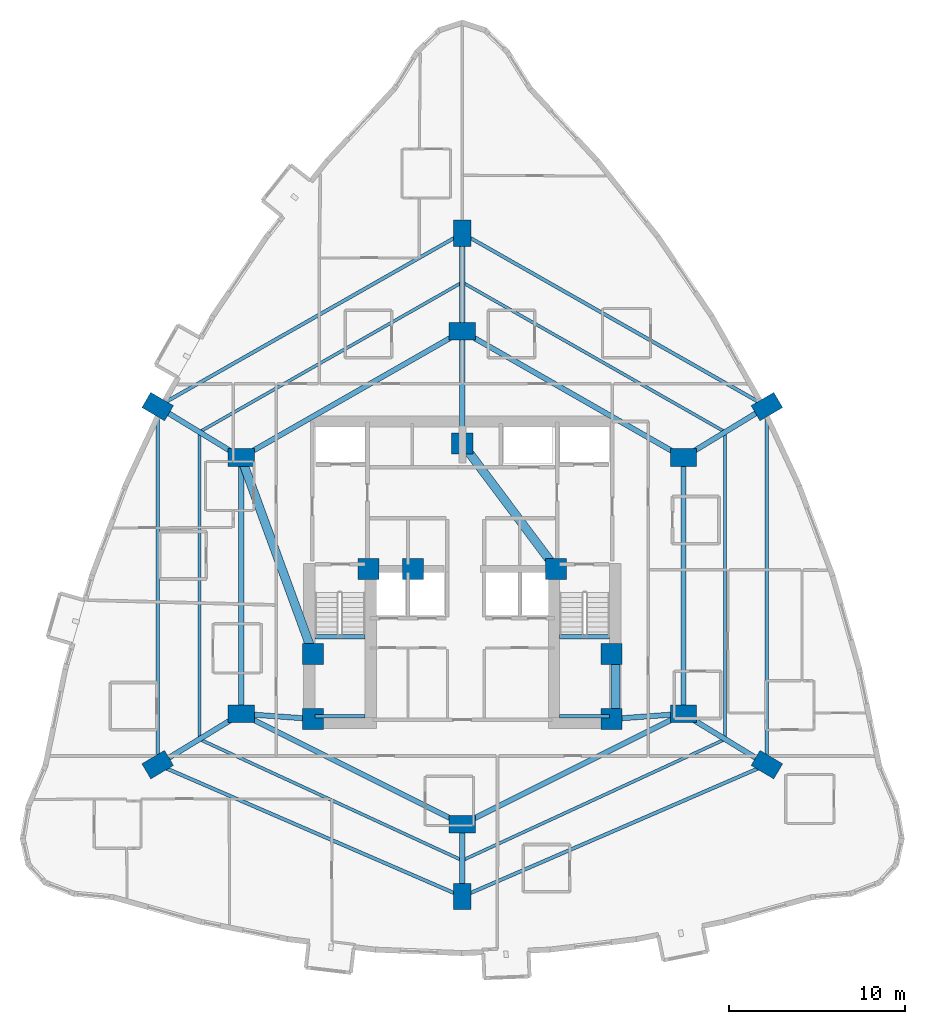
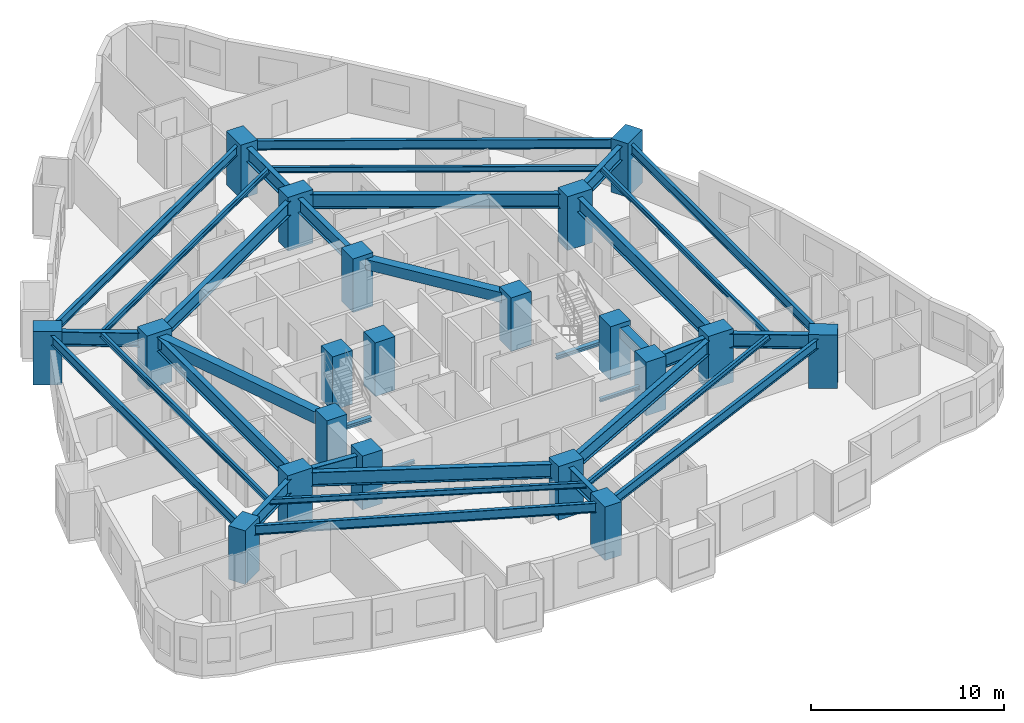
# One storey, part 1 of 15: 34 beams, 20 columns.
"""IFC4 building model written with IfcOpenShell, lengths in metres."""

import ifcopenshell
import ifcopenshell.guid

model = None  # the IFC model being written
_history = None  # IfcOwnerHistory: only IFC2X3 demands one
_inside = {}  # id of a spatial element -> (the spatial element, [elements in it])
_under = {}  # id of a project, library or spatial element -> (it, [spatial elements below it])
_declared = {}  # id of a project -> (the project, [libraries it declares])
_typed = {}  # id of a type object -> (the type object, [elements of that type])
_made_of = {}  # id of a material, layer set ... -> (it, [elements and type objects made of it])


def new_model(schema):
    """Start an empty IFC model of exactly this schema.

    Asked for "IFC4X3", IfcOpenShell would pick the latest addendum, in which some entities
    have other attributes; the version numbers below select the first issue.
    IFC2X3 requires an IfcOwnerHistory on every rooted entity: one is made here for all.
    """
    global model, _history
    if schema == "IFC4X3":
        model = ifcopenshell.file(schema_version=(4, 3, 0, 0))
    else:
        model = ifcopenshell.file(schema=schema)
    _inside.clear()
    _under.clear()
    _declared.clear()
    _typed.clear()
    _made_of.clear()
    _history = None
    if model.schema == "IFC2X3":
        org = make("IfcOrganization", Name="unknown")
        user = make(
            "IfcPersonAndOrganization",
            ThePerson=make("IfcPerson", FamilyName="unknown"),
            TheOrganization=org,
        )
        app = make(
            "IfcApplication",
            ApplicationDeveloper=org,
            Version="unknown",
            ApplicationFullName="unknown",
            ApplicationIdentifier="unknown",
        )
        _history = make(
            "IfcOwnerHistory",
            OwningUser=user,
            OwningApplication=app,
            ChangeAction="ADDED",
            CreationDate=0,
        )
    return model


def make(cls, **values):
    """One entity of the class cls with the attributes given. An attribute that is None is left unset."""
    return model.create_entity(
        cls, **{name: value for name, value in values.items() if value is not None}
    )


def rooted(cls, **values):
    """An entity with a GlobalId (a new one), such as an element, a storey or a relation."""
    return make(cls, GlobalId=ifcopenshell.guid.new(), OwnerHistory=_history, **values)


def si_unit(unit_type, name, prefix=None):
    """IfcSIUnit, for example si_unit("LENGTHUNIT", "METRE", prefix="MILLI")."""
    return make("IfcSIUnit", UnitType=unit_type, Prefix=prefix, Name=name)


def assignment(units):
    """IfcUnitAssignment: the units of a project."""
    return None if units is None else make("IfcUnitAssignment", Units=units)


def point(xyz):
    """IfcCartesianPoint."""
    return None if xyz is None else make("IfcCartesianPoint", Coordinates=xyz)


def direction(xyz):
    """IfcDirection."""
    return None if xyz is None else make("IfcDirection", DirectionRatios=xyz)


def frame(location, z_axis=None, x_axis=None):
    """IfcAxis2Placement3D, a coordinate frame: its origin and axes. An axis left out is left unset."""
    return make(
        "IfcAxis2Placement3D",
        Location=point(location),
        Axis=direction(z_axis),
        RefDirection=direction(x_axis),
    )


def frame_2d(location, x_axis=None):
    """IfcAxis2Placement2D, a coordinate frame in the plane: its origin and x axis."""
    return make(
        "IfcAxis2Placement2D", Location=point(location), RefDirection=direction(x_axis)
    )


def origin():
    """The frame at (0, 0, 0) with its axes left unset."""
    return frame((0.0, 0.0, 0.0))


def origin_2d():
    """The frame at (0, 0) in the plane with its x axis left unset."""
    return frame_2d((0.0, 0.0))


def place(relative_to, where):
    """IfcLocalPlacement: puts the frame where relative to a parent placement (None: the world)."""
    return make(
        "IfcLocalPlacement", PlacementRelTo=relative_to, RelativePlacement=where
    )


def context(
    kind, dimensions, precision=None, world=None, true_north=None, identifier=None
):
    """IfcGeometricRepresentationContext, for example the 3D "Model" context."""
    return make(
        "IfcGeometricRepresentationContext",
        ContextIdentifier=identifier,
        ContextType=kind,
        CoordinateSpaceDimension=dimensions,
        Precision=precision,
        WorldCoordinateSystem=world,
        TrueNorth=true_north,
    )


def subcontext(parent, identifier, kind, view, scale=None):
    """IfcGeometricRepresentationSubContext, for example "Body" below "Model"."""
    return make(
        "IfcGeometricRepresentationSubContext",
        ContextIdentifier=identifier,
        ContextType=kind,
        ParentContext=parent,
        TargetScale=scale,
        TargetView=view,
    )


def project(units=None, contexts=None):
    """IfcProject with its units and contexts."""
    return rooted(
        "IfcProject",
        Name="project",
        RepresentationContexts=contexts,
        UnitsInContext=assignment(units),
    )


def spatial(cls, under=None, at=None, **own):
    """A site, building, storey or space (cls), placed at a placement, below another one or the project."""
    s = rooted(cls, ObjectPlacement=at, **own)
    if under is not None:
        _under.setdefault(under.id(), (under, []))[1].append(s)
    return s


def profile(cls, at=None, kind="AREA", **sizes):
    """A parametric profile (cls). Its sizes go by their IFC names, for example OverallWidth=200.0."""
    return make(cls, ProfileType=kind, Position=at, **sizes)


def rectangle(**sizes):
    """IfcRectangleProfileDef."""
    return profile("IfcRectangleProfileDef", **sizes)


def i_section(**sizes):
    """IfcIShapeProfileDef."""
    return profile("IfcIShapeProfileDef", **sizes)


def extrude(swept, where, along, depth):
    """IfcExtrudedAreaSolid: the profile swept, set in the frame where, extruded along a direction by depth."""
    return make(
        "IfcExtrudedAreaSolid",
        SweptArea=swept,
        Position=where,
        ExtrudedDirection=direction(along),
        Depth=depth,
    )


def shape(context_of_items, identifier, shape_type, items):
    """IfcShapeRepresentation: the items that make up one representation, for example the "Body"."""
    return make(
        "IfcShapeRepresentation",
        ContextOfItems=context_of_items,
        RepresentationIdentifier=identifier,
        RepresentationType=shape_type,
        Items=items,
    )


def material(Name=None, Category=None):
    """IfcMaterial."""
    return make("IfcMaterial", Name=Name, Category=Category)


def material_profile(
    of_material, cross_section, Name=None, Category=None, Priority=None
):
    """IfcMaterialProfile: a cross section and its material."""
    return make(
        "IfcMaterialProfile",
        Name=Name,
        Material=of_material,
        Profile=cross_section,
        Priority=Priority,
        Category=Category,
    )


def profile_set(profiles, Name=None, composite=None):
    """IfcMaterialProfileSet."""
    return make(
        "IfcMaterialProfileSet",
        Name=Name,
        MaterialProfiles=profiles,
        CompositeProfile=composite,
    )


def made_of(thing, what):
    """Note that an element or type object is made of a material, layer set ...; save() writes the relation."""
    if what is not None:
        _made_of.setdefault(what.id(), (what, []))[1].append(thing)
    return thing


def type_object(cls, material=None, **own):
    """A type object (cls), such as IfcWallType, which elements share."""
    return made_of(rooted(cls, **own), material)


def element(
    cls,
    number,
    at=None,
    inside=None,
    cuts=None,
    type_object=None,
    material=None,
    context=None,
    identifier="Body",
    shape_type=None,
    held_by="IfcProductDefinitionShape",
    body=None,
    shapes=None,
    **own,
):
    """One element of the class cls, such as IfcWall. Its Tag is "e" and its number.

    at: its placement. inside: the storey or other place that contains it. cuts: it is an
    opening in that element (IfcRelVoidsElement). A single representation is given by context,
    identifier, shape_type and body (its items); several are given by shapes. held_by: the class
    of the entity that holds the representations. save() writes the other relations.
    """
    e = rooted(cls, Tag="e%d" % number, ObjectPlacement=at, **own)
    if body is not None:
        shapes = [shape(context, identifier, shape_type, body)]
    if shapes is not None:
        e.Representation = make(held_by, Representations=shapes)
    if inside is not None:
        _inside.setdefault(inside.id(), (inside, []))[1].append(e)
    if cuts is not None:
        rooted(
            "IfcRelVoidsElement", RelatingBuildingElement=cuts, RelatedOpeningElement=e
        )
    if type_object is not None:
        _typed.setdefault(type_object.id(), (type_object, []))[1].append(e)
    return made_of(e, material)


def aggregate(whole, parts):
    """IfcRelAggregates: a whole, such as a stair, and the parts it consists of."""
    return rooted("IfcRelAggregates", RelatingObject=whole, RelatedObjects=parts)


def save(model, path):
    """Write the relations noted so far, then the file.

    IfcRelAggregates (storeys below a building ...), IfcRelContainedInSpatialStructure (elements
    in a storey), IfcRelDefinesByType, IfcRelAssociatesMaterial and IfcRelDeclares: one each for
    every whole, place, type object, material and project.
    """
    for whole, parts in _under.values():
        aggregate(whole, parts)
    for where, things in _inside.values():
        rooted(
            "IfcRelContainedInSpatialStructure",
            RelatedElements=things,
            RelatingStructure=where,
        )
    for kind, things in _typed.values():
        rooted("IfcRelDefinesByType", RelatedObjects=things, RelatingType=kind)
    for what, things in _made_of.values():
        rooted("IfcRelAssociatesMaterial", RelatedObjects=things, RelatingMaterial=what)
    for by, libraries in _declared.values():
        rooted("IfcRelDeclares", RelatingContext=by, RelatedDefinitions=libraries)
    model.write(path)


model = new_model("IFC4")

# Units and contexts
model_context = context("Model", 3, precision=1e-05, world=origin(), true_north=direction((0.0, 1.0)))
body_context = subcontext(model_context, "Body", "Model", "MODEL_VIEW")
ifc_project = project(units=[si_unit("LENGTHUNIT", "METRE"), si_unit("AREAUNIT", "SQUARE_METRE"), si_unit("VOLUMEUNIT", "CUBIC_METRE"), si_unit("PLANEANGLEUNIT", "RADIAN"), si_unit("MASSUNIT", "GRAM", prefix="KILO")], contexts=[model_context])

# Site, building, storey
site_placement = place(None, origin())
site = spatial("IfcSite", under=ifc_project, at=site_placement, CompositionType="ELEMENT")
building_placement = place(site_placement, origin())
building = spatial("IfcBuilding", under=site, at=building_placement, Name="Miruveldt Soraemaru", CompositionType="ELEMENT")
storey_placement = place(building_placement, frame((0.0, 0.0, 36.0)))
storey = spatial("IfcBuildingStorey", under=building, at=storey_placement, Name="L09", CompositionType="ELEMENT", Elevation=36.0)

# Columns
ifc_material_1 = material(Name="Concrete C70/85 (70 MPa)", Category="concrete")
ifc_material_profile_1 = material_profile(ifc_material_1, rectangle(XDim=1.199951171875, YDim=1.199951171875, at=origin_2d()), Name="Concrete C70/85 (70 MPa)", Category="concrete")
ifc_profile_set_1 = profile_set([ifc_material_profile_1], Name="Concrete C70/85 (70 MPa)")
column_type_1 = type_object("IfcColumnType", Name="COL-CORE-1200", PredefinedType="COLUMN", material=ifc_profile_set_1)
for number, where, z_axis, x_axis, name in (
    (1, (35.5, 35.5, 0.0), (0.0, 0.0, 1.0), (1.0, 0.0, 0.0), "L09 Structural Column CC1"),
    (2, (38.64990234375, 44.050048828125, 0.0), (0.0, 0.0, 1.0), (1.0, 0.0, 0.0), "L09 Structural Column CC2"),
    (3, (52.5, 35.5, 0.0), (0.0, 0.0, 1.0), (1.0, 0.0, 0.0), "L09 Structural Column CC3"),
    (4, (52.5, 39.199951171875, 0.0), (0.0, 0.0, 1.0), (1.0, 0.0, 0.0), "L09 Structural Column CC4"),
    (5, (49.35009765625, 44.050048828125, 0.0), (0.0, 0.0, 1.0), (1.0, 0.0, 0.0), "L09 Structural Column CC5"),
    (6, (44.0, 51.199951171875, 0.0), (0.0, 0.0, 1.0), (1.0, 0.0, 0.0), "L09 Structural Column CC6"),
    (7, (35.5, 39.199951171875, 0.0), (0.0, 0.0, 1.0), (1.0, 0.0, 0.0), "L09 Structural Column CC7"),
    (8, (41.199951171875, 44.050048828125, 0.0), (0.0, 0.0, 1.0), (1.0, 0.0, 0.0), "L09 Structural Column CC8"),
):
    element("IfcColumn", number, at=place(storey_placement, frame(where, z_axis=z_axis, x_axis=x_axis)), inside=storey, type_object=column_type_1, Name=name, PredefinedType="COLUMN", context=body_context, shape_type="SweptSolid", body=[
        extrude(rectangle(XDim=1.199951171875, YDim=1.199951171875, at=origin_2d()), origin(), (0.0, 0.0, 1.0), 3.39990234375),
    ])
ifc_material_2 = material(Name="Concrete C80/95 (80 MPa)", Category="concrete")
ifc_material_profile_2 = material_profile(ifc_material_2, rectangle(XDim=1.5, YDim=1.0, at=origin_2d()), Name="Concrete C80/95 (80 MPa)", Category="concrete")
ifc_profile_set_2 = profile_set([ifc_material_profile_2], Name="Concrete C80/95 (80 MPa)")
column_type_2 = type_object("IfcColumnType", Name="COL-TW-Z1A", PredefinedType="COLUMN", material=ifc_profile_set_2)
for number, where, z_axis, x_axis, name in (
    (9, (44.0, 57.60009765625, 0.0), (0.0, 0.0, 1.0), (1.0, 0.0, 0.0), "L09 Structural Column IR01"),
    (10, (56.60009765625, 50.39990234375, 0.0), (0.0, 0.0, 1.0), (1.0, 0.0, 0.0), "L09 Structural Column IR02"),
    (11, (56.60009765625, 35.800048828125, 0.0), (0.0, 0.0, 1.0), (1.0, 0.0, 0.0), "L09 Structural Column IR03"),
    (12, (44.0, 29.5, 0.0), (0.0, 0.0, 1.0), (1.0, 0.0, 0.0), "L09 Structural Column IR04"),
    (13, (31.39990234375, 35.800048828125, 0.0), (0.0, 0.0, 1.0), (1.0, 0.0, 0.0), "L09 Structural Column IR05"),
    (14, (31.39990234375, 50.39990234375, 0.0), (0.0, 0.0, 1.0), (1.0, 0.0, 0.0), "L09 Structural Column IR06"),
    (15, (44.0, 63.16796875, 0.0), (0.0, 0.0, 1.0), (0.0, 1.0, 0.0), "L09 Structural Column Z1P01"),
    (16, (61.35595703125, 53.300048828125, 0.0), (0.0, 0.0, 1.0), (0.864274801954, 0.50301994663, 0.0), "L09 Structural Column Z1P02"),
    (17, (61.35595703125, 32.89990234375, 0.0), (0.0, 0.0, 1.0), (-0.859852271597, 0.510542917912, 0.0), "L09 Structural Column Z1P03"),
    (18, (44.0, 25.382080078125, 0.0), (0.0, 0.0, 1.0), (0.0, 1.0, 0.0), "L09 Structural Column Z1P04"),
    (19, (26.64404296875, 32.89990234375, 0.0), (0.0, 0.0, 1.0), (0.859852271597, 0.510542917912, 0.0), "L09 Structural Column Z1P05"),
    (20, (26.64404296875, 53.300048828125, 0.0), (0.0, 0.0, 1.0), (-0.864274801954, 0.50301994663, 0.0), "L09 Structural Column Z1P06"),
):
    element("IfcColumn", number, at=place(storey_placement, frame(where, z_axis=z_axis, x_axis=x_axis)), inside=storey, type_object=column_type_2, Name=name, PredefinedType="COLUMN", context=body_context, shape_type="SweptSolid", body=[
        extrude(rectangle(XDim=1.5, YDim=1.0, at=origin_2d()), origin(), (0.0, 0.0, 1.0), 3.39990234375),
    ])

# Beams
ifc_material_3 = material(Name="Concrete C50/60 (50 MPa)", Category="concrete")
ifc_material_profile_3 = material_profile(ifc_material_3, rectangle(XDim=0.5, YDim=0.64990234375, at=origin_2d()), Name="Concrete C50/60 (50 MPa)", Category="concrete")
ifc_profile_set_3 = profile_set([ifc_material_profile_3], Name="Concrete C50/60 (50 MPa)")
beam_type_1 = type_object("IfcBeamType", Name="BM-RC-500x650", PredefinedType="BEAM", material=ifc_profile_set_3)
beam_1_placement = place(storey_placement, frame((52.72998046875, 35.5, 2.800048828125), z_axis=(0.0, 1.0, 0.0), x_axis=(-1.0, 0.0, 0.0)))
element("IfcBeam", 21, at=beam_1_placement, inside=storey, type_object=beam_type_1, Name="L09 Core Tie Beam 3", PredefinedType="BEAM", context=body_context, shape_type="SweptSolid", body=[
    extrude(rectangle(XDim=0.5, YDim=0.64990234375, at=origin_2d()), origin(), (0.0, 0.0, 1.0), 3.699951171875),
])
beam_2_placement = place(storey_placement, frame((49.35009765625, 44.050048828125, 2.800048828125), z_axis=(-0.599116023999, 0.800662219533, 0.0), x_axis=(-0.800662219533, -0.599116023999, 0.0)))
element("IfcBeam", 22, at=beam_2_placement, inside=storey, type_object=beam_type_1, Name="L09 Core Tie Beam 5", PredefinedType="BEAM", context=body_context, shape_type="SweptSolid", body=[
    extrude(rectangle(XDim=0.5, YDim=0.64990234375, at=origin_2d()), origin(), (0.0, 0.0, 1.0), 8.929931640625),
])
ifc_material_4 = material(Name="Concrete C40/50 (40 MPa)", Category="concrete")
ifc_material_profile_4 = material_profile(ifc_material_4, rectangle(XDim=0.5, YDim=0.75, at=origin_2d()), Name="Concrete C40/50 (40 MPa)", Category="concrete")
ifc_profile_set_4 = profile_set([ifc_material_profile_4], Name="Concrete C40/50 (40 MPa)")
beam_type_2 = type_object("IfcBeamType", Name="BM-RC-500x750", PredefinedType="LINTEL", material=ifc_profile_set_4)
beam_3_placement = place(storey_placement, frame((31.39990234375, 50.39990234375, 2.75), z_axis=(0.343770424598, -0.939053723262, 0.0), x_axis=(0.939053723262, 0.343770424598, 0.0)))
element("IfcBeam", 23, at=beam_3_placement, inside=storey, type_object=beam_type_2, Name="L09 West Lobby Lintel", PredefinedType="LINTEL", context=body_context, shape_type="SweptSolid", body=[
    extrude(rectangle(XDim=0.5, YDim=0.75, at=origin_2d()), origin(), (0.0, 0.0, 1.0), 11.9267578125),
])
ifc_material_5 = material(Name="Steel SM355 (355 MPa)", Category="steel")
ifc_material_profile_5 = material_profile(ifc_material_5, i_section(OverallWidth=0.175048828125, OverallDepth=0.35009765625, WebThickness=0.007080078125, FlangeThickness=0.010986328125, FilletRadius=0.013916015625, at=origin_2d()), Name="Steel SM355 (355 MPa)", Category="steel")
ifc_profile_set_5 = profile_set([ifc_material_profile_5], Name="Steel SM355 (355 MPa)")
beam_type_3 = type_object("IfcBeamType", Name="BM-ST-H350", PredefinedType="JOIST", material=ifc_profile_set_5)
beam_4_placement = place(storey_placement, frame((44.0, 60.384033203125, 2.949951171875), z_axis=(0.868865604585, -0.495048039254, 0.0), x_axis=(0.495048039254, 0.868865604585, 0.0)))
element("IfcBeam", 24, at=beam_4_placement, inside=storey, type_object=beam_type_3, Name="L09 Outer Bay Floor Joist 1", PredefinedType="JOIST", context=body_context, shape_type="SweptSolid", body=[
    extrude(i_section(OverallWidth=0.175048828125, OverallDepth=0.35009765625, WebThickness=0.007080078125, FlangeThickness=0.010986328125, FilletRadius=0.013916015625, at=origin_2d()), origin(), (0.0, 0.0, 1.0), 17.238525390625),
])
beam_5_placement = place(storey_placement, frame((58.97802734375, 51.85009765625, 2.949951171875), z_axis=(0.0, -1.0, 0.0), x_axis=(1.0, 0.0, 0.0)))
element("IfcBeam", 25, at=beam_5_placement, inside=storey, type_object=beam_type_3, Name="L09 Outer Bay Floor Joist 2", PredefinedType="JOIST", context=body_context, shape_type="SweptSolid", body=[
    extrude(i_section(OverallWidth=0.175048828125, OverallDepth=0.35009765625, WebThickness=0.007080078125, FlangeThickness=0.010986328125, FilletRadius=0.013916015625, at=origin_2d()), origin(), (0.0, 0.0, 1.0), 17.5),
])
for number, where, z_axis, x_axis, name in (
    (26, (58.97802734375, 34.35009765625, 2.949951171875), (-0.908046005539, -0.418870447543, 0.0), (0.418870447543, -0.908046005539, 0.0), "L09 Outer Bay Floor Joist 3"),
    (27, (44.0, 27.44091796875, 2.949951171875), (-0.908046005539, 0.418870447543, 0.0), (-0.418870447543, -0.908046005539, 0.0), "L09 Outer Bay Floor Joist 4"),
):
    element("IfcBeam", number, at=place(storey_placement, frame(where, z_axis=z_axis, x_axis=x_axis)), inside=storey, type_object=beam_type_3, Name=name, PredefinedType="JOIST", context=body_context, shape_type="SweptSolid", body=[
        extrude(i_section(OverallWidth=0.175048828125, OverallDepth=0.35009765625, WebThickness=0.007080078125, FlangeThickness=0.010986328125, FilletRadius=0.013916015625, at=origin_2d()), origin(), (0.0, 0.0, 1.0), 16.494873046875),
    ])
beam_6_placement = place(storey_placement, frame((29.02197265625, 34.35009765625, 2.949951171875), z_axis=(0.0, 1.0, 0.0), x_axis=(-1.0, 0.0, 0.0)))
element("IfcBeam", 28, at=beam_6_placement, inside=storey, type_object=beam_type_3, Name="L09 Outer Bay Floor Joist 5", PredefinedType="JOIST", context=body_context, shape_type="SweptSolid", body=[
    extrude(i_section(OverallWidth=0.175048828125, OverallDepth=0.35009765625, WebThickness=0.007080078125, FlangeThickness=0.010986328125, FilletRadius=0.013916015625, at=origin_2d()), origin(), (0.0, 0.0, 1.0), 17.5),
])
beam_7_placement = place(storey_placement, frame((29.02197265625, 51.85009765625, 2.949951171875), z_axis=(0.868865604585, 0.495048039254, 0.0), x_axis=(-0.495048039254, 0.868865604585, 0.0)))
element("IfcBeam", 29, at=beam_7_placement, inside=storey, type_object=beam_type_3, Name="L09 Outer Bay Floor Joist 6", PredefinedType="JOIST", context=body_context, shape_type="SweptSolid", body=[
    extrude(i_section(OverallWidth=0.175048828125, OverallDepth=0.35009765625, WebThickness=0.007080078125, FlangeThickness=0.010986328125, FilletRadius=0.013916015625, at=origin_2d()), origin(), (0.0, 0.0, 1.0), 17.238525390625),
])
ifc_material_profile_6 = material_profile(ifc_material_5, i_section(OverallWidth=0.199951171875, OverallDepth=0.60009765625, WebThickness=0.010986328125, FlangeThickness=0.01708984375, FilletRadius=0.02197265625, at=origin_2d()), Name="Steel SM355 (355 MPa)", Category="steel")
ifc_profile_set_6 = profile_set([ifc_material_profile_6], Name="Steel SM355 (355 MPa)")
beam_type_4 = type_object("IfcBeamType", Name="BM-ST-H600", PredefinedType="SPANDREL", material=ifc_profile_set_6)
beam_8_placement = place(storey_placement, frame((44.0, 63.16796875, 2.824951171875), z_axis=(0.869314947608, -0.494258557706, 0.0), x_axis=(0.494258557706, 0.869314947608, 0.0)))
element("IfcBeam", 30, at=beam_8_placement, inside=storey, type_object=beam_type_4, Name="L09 Zone-1 Spandrel Beam 1", PredefinedType="SPANDREL", context=body_context, shape_type="SweptSolid", body=[
    extrude(i_section(OverallWidth=0.199951171875, OverallDepth=0.60009765625, WebThickness=0.010986328125, FlangeThickness=0.01708984375, FilletRadius=0.02197265625, at=origin_2d()), origin(), (0.0, 0.0, 1.0), 19.965087890625),
])
beam_9_placement = place(storey_placement, frame((61.35595703125, 53.300048828125, 2.824951171875), z_axis=(0.0, -1.0, 0.0), x_axis=(1.0, 0.0, 0.0)))
element("IfcBeam", 31, at=beam_9_placement, inside=storey, type_object=beam_type_4, Name="L09 Zone-1 Spandrel Beam 2", PredefinedType="SPANDREL", context=body_context, shape_type="SweptSolid", body=[
    extrude(i_section(OverallWidth=0.199951171875, OverallDepth=0.60009765625, WebThickness=0.010986328125, FlangeThickness=0.01708984375, FilletRadius=0.02197265625, at=origin_2d()), origin(), (0.0, 0.0, 1.0), 20.400146484375),
])
for number, where, z_axis, x_axis, name in (
    (32, (61.35595703125, 32.89990234375, 2.824951171875), (-0.917615263736, -0.397469782195, 0.0), (0.397469782195, -0.917615263736, 0.0), "L09 Zone-1 Spandrel Beam 3"),
    (33, (44.0, 25.382080078125, 2.824951171875), (-0.917615263736, 0.397469782195, 0.0), (-0.397469782195, -0.917615263736, 0.0), "L09 Zone-1 Spandrel Beam 4"),
):
    element("IfcBeam", number, at=place(storey_placement, frame(where, z_axis=z_axis, x_axis=x_axis)), inside=storey, type_object=beam_type_4, Name=name, PredefinedType="SPANDREL", context=body_context, shape_type="SweptSolid", body=[
        extrude(i_section(OverallWidth=0.199951171875, OverallDepth=0.60009765625, WebThickness=0.010986328125, FlangeThickness=0.01708984375, FilletRadius=0.02197265625, at=origin_2d()), origin(), (0.0, 0.0, 1.0), 18.914306640625),
    ])
beam_10_placement = place(storey_placement, frame((26.64404296875, 32.89990234375, 2.824951171875), z_axis=(0.0, 1.0, 0.0), x_axis=(-1.0, 0.0, 0.0)))
element("IfcBeam", 34, at=beam_10_placement, inside=storey, type_object=beam_type_4, Name="L09 Zone-1 Spandrel Beam 5", PredefinedType="SPANDREL", context=body_context, shape_type="SweptSolid", body=[
    extrude(i_section(OverallWidth=0.199951171875, OverallDepth=0.60009765625, WebThickness=0.010986328125, FlangeThickness=0.01708984375, FilletRadius=0.02197265625, at=origin_2d()), origin(), (0.0, 0.0, 1.0), 20.400146484375),
])
beam_11_placement = place(storey_placement, frame((26.64404296875, 53.300048828125, 2.824951171875), z_axis=(0.869314947608, 0.494258557706, 0.0), x_axis=(-0.494258557706, 0.869314947608, 0.0)))
element("IfcBeam", 35, at=beam_11_placement, inside=storey, type_object=beam_type_4, Name="L09 Zone-1 Spandrel Beam 6", PredefinedType="SPANDREL", context=body_context, shape_type="SweptSolid", body=[
    extrude(i_section(OverallWidth=0.199951171875, OverallDepth=0.60009765625, WebThickness=0.010986328125, FlangeThickness=0.01708984375, FilletRadius=0.02197265625, at=origin_2d()), origin(), (0.0, 0.0, 1.0), 19.965087890625),
])
ifc_material_6 = material(Name="Steel S460 (460 MPa)", Category="steel")
ifc_material_profile_7 = material_profile(ifc_material_6, i_section(OverallWidth=0.300048828125, OverallDepth=0.89990234375, WebThickness=0.01611328125, FlangeThickness=0.028076171875, FilletRadius=0.028076171875, at=origin_2d()), Name="Steel S460 (460 MPa)", Category="steel")
ifc_profile_set_7 = profile_set([ifc_material_profile_7], Name="Steel S460 (460 MPa)")
beam_type_5 = type_object("IfcBeamType", Name="BM-ST-H900", PredefinedType="BEAM", material=ifc_profile_set_7)
beam_12_placement = place(storey_placement, frame((44.0, 57.60009765625, 2.675048828125), z_axis=(0.868239001029, -0.496146185203, 0.0), x_axis=(0.496146185203, 0.868239001029, 0.0)))
element("IfcBeam", 36, at=beam_12_placement, inside=storey, type_object=beam_type_5, Name="L09 Inner Ring Girder 1", PredefinedType="BEAM", context=body_context, shape_type="SweptSolid", body=[
    extrude(i_section(OverallWidth=0.300048828125, OverallDepth=0.89990234375, WebThickness=0.01611328125, FlangeThickness=0.028076171875, FilletRadius=0.028076171875, at=origin_2d()), origin(), (0.0, 0.0, 1.0), 14.51220703125),
])
beam_13_placement = place(storey_placement, frame((44.0, 51.199951171875, 2.675048828125), z_axis=(0.0, 1.0, 0.0), x_axis=(-1.0, 0.0, 0.0)))
element("IfcBeam", 37, at=beam_13_placement, inside=storey, type_object=beam_type_5, Name="L09 Core-to-Inner Radial Girder 1", PredefinedType="BEAM", context=body_context, shape_type="SweptSolid", body=[
    extrude(i_section(OverallWidth=0.300048828125, OverallDepth=0.89990234375, WebThickness=0.01611328125, FlangeThickness=0.028076171875, FilletRadius=0.028076171875, at=origin_2d()), origin(), (0.0, 0.0, 1.0), 6.400146484375),
])
beam_14_placement = place(storey_placement, frame((56.60009765625, 50.39990234375, 2.675048828125), z_axis=(0.0, -1.0, 0.0), x_axis=(1.0, 0.0, 0.0)))
element("IfcBeam", 38, at=beam_14_placement, inside=storey, type_object=beam_type_5, Name="L09 Inner Ring Girder 2", PredefinedType="BEAM", context=body_context, shape_type="SweptSolid", body=[
    extrude(i_section(OverallWidth=0.300048828125, OverallDepth=0.89990234375, WebThickness=0.01611328125, FlangeThickness=0.028076171875, FilletRadius=0.028076171875, at=origin_2d()), origin(), (0.0, 0.0, 1.0), 14.599853515625),
])
beam_15_placement = place(storey_placement, frame((56.60009765625, 35.800048828125, 2.675048828125), z_axis=(-0.894427191, -0.4472135955, 0.0), x_axis=(0.4472135955, -0.894427191, 0.0)))
element("IfcBeam", 39, at=beam_15_placement, inside=storey, type_object=beam_type_5, Name="L09 Inner Ring Girder 3", PredefinedType="BEAM", context=body_context, shape_type="SweptSolid", body=[
    extrude(i_section(OverallWidth=0.300048828125, OverallDepth=0.89990234375, WebThickness=0.01611328125, FlangeThickness=0.028076171875, FilletRadius=0.028076171875, at=origin_2d()), origin(), (0.0, 0.0, 1.0), 14.08740234375),
])
beam_16_placement = place(storey_placement, frame((52.5, 35.5, 2.675048828125), z_axis=(0.997332985605, 0.072985723431, 0.0), x_axis=(-0.072985723431, 0.997332985605, 0.0)))
element("IfcBeam", 40, at=beam_16_placement, inside=storey, type_object=beam_type_5, Name="L09 Core-to-Inner Radial Girder 3", PredefinedType="BEAM", context=body_context, shape_type="SweptSolid", body=[
    extrude(i_section(OverallWidth=0.300048828125, OverallDepth=0.89990234375, WebThickness=0.01611328125, FlangeThickness=0.028076171875, FilletRadius=0.028076171875, at=origin_2d()), origin(), (0.0, 0.0, 1.0), 4.111083984375),
])
beam_17_placement = place(storey_placement, frame((44.0, 29.5, 2.675048828125), z_axis=(-0.894427191, 0.4472135955, 0.0), x_axis=(-0.4472135955, -0.894427191, 0.0)))
element("IfcBeam", 41, at=beam_17_placement, inside=storey, type_object=beam_type_5, Name="L09 Inner Ring Girder 4", PredefinedType="BEAM", context=body_context, shape_type="SweptSolid", body=[
    extrude(i_section(OverallWidth=0.300048828125, OverallDepth=0.89990234375, WebThickness=0.01611328125, FlangeThickness=0.028076171875, FilletRadius=0.028076171875, at=origin_2d()), origin(), (0.0, 0.0, 1.0), 14.08740234375),
])
beam_18_placement = place(storey_placement, frame((31.39990234375, 35.800048828125, 2.675048828125), z_axis=(0.0, 1.0, 0.0), x_axis=(-1.0, 0.0, 0.0)))
element("IfcBeam", 42, at=beam_18_placement, inside=storey, type_object=beam_type_5, Name="L09 Inner Ring Girder 5", PredefinedType="BEAM", context=body_context, shape_type="SweptSolid", body=[
    extrude(i_section(OverallWidth=0.300048828125, OverallDepth=0.89990234375, WebThickness=0.01611328125, FlangeThickness=0.028076171875, FilletRadius=0.028076171875, at=origin_2d()), origin(), (0.0, 0.0, 1.0), 14.599853515625),
])
beam_19_placement = place(storey_placement, frame((35.5, 35.5, 2.675048828125), z_axis=(-0.997332985605, 0.072985723431, 0.0), x_axis=(-0.072985723431, -0.997332985605, 0.0)))
element("IfcBeam", 43, at=beam_19_placement, inside=storey, type_object=beam_type_5, Name="L09 Core-to-Inner Radial Girder 5", PredefinedType="BEAM", context=body_context, shape_type="SweptSolid", body=[
    extrude(i_section(OverallWidth=0.300048828125, OverallDepth=0.89990234375, WebThickness=0.01611328125, FlangeThickness=0.028076171875, FilletRadius=0.028076171875, at=origin_2d()), origin(), (0.0, 0.0, 1.0), 4.111083984375),
])
beam_20_placement = place(storey_placement, frame((31.39990234375, 50.39990234375, 2.675048828125), z_axis=(0.868239001029, 0.496146185203, 0.0), x_axis=(-0.496146185203, 0.868239001029, 0.0)))
element("IfcBeam", 44, at=beam_20_placement, inside=storey, type_object=beam_type_5, Name="L09 Inner Ring Girder 6", PredefinedType="BEAM", context=body_context, shape_type="SweptSolid", body=[
    extrude(i_section(OverallWidth=0.300048828125, OverallDepth=0.89990234375, WebThickness=0.01611328125, FlangeThickness=0.028076171875, FilletRadius=0.028076171875, at=origin_2d()), origin(), (0.0, 0.0, 1.0), 14.51220703125),
])
beam_21_placement = place(storey_placement, frame((44.0, 57.60009765625, 2.675048828125), z_axis=(0.0, 1.0, 0.0), x_axis=(-1.0, 0.0, 0.0)))
element("IfcBeam", 45, at=beam_21_placement, inside=storey, type_object=beam_type_5, Name="L09 Zone-1 Radial Girder 1", PredefinedType="BEAM", context=body_context, shape_type="SweptSolid", body=[
    extrude(i_section(OverallWidth=0.300048828125, OverallDepth=0.89990234375, WebThickness=0.01611328125, FlangeThickness=0.028076171875, FilletRadius=0.028076171875, at=origin_2d()), origin(), (0.0, 0.0, 1.0), 5.56787109375),
])
for number, where, z_axis, x_axis, name in (
    (46, (56.60009765625, 50.39990234375, 2.675048828125), (0.853777644156, 0.520637814935, 0.0), (-0.520637814935, 0.853777644156, 0.0), "L09 Zone-1 Radial Girder 2"),
    (47, (56.60009765625, 35.800048828125, 2.675048828125), (0.853777644156, -0.520637814935, 0.0), (0.520637814935, 0.853777644156, 0.0), "L09 Zone-1 Radial Girder 3"),
):
    element("IfcBeam", number, at=place(storey_placement, frame(where, z_axis=z_axis, x_axis=x_axis)), inside=storey, type_object=beam_type_5, Name=name, PredefinedType="BEAM", context=body_context, shape_type="SweptSolid", body=[
        extrude(i_section(OverallWidth=0.300048828125, OverallDepth=0.89990234375, WebThickness=0.01611328125, FlangeThickness=0.028076171875, FilletRadius=0.028076171875, at=origin_2d()), origin(), (0.0, 0.0, 1.0), 5.5703125),
    ])
beam_22_placement = place(storey_placement, frame((44.0, 29.5, 2.675048828125), z_axis=(0.0, -1.0, 0.0), x_axis=(1.0, 0.0, 0.0)))
element("IfcBeam", 48, at=beam_22_placement, inside=storey, type_object=beam_type_5, Name="L09 Zone-1 Radial Girder 4", PredefinedType="BEAM", context=body_context, shape_type="SweptSolid", body=[
    extrude(i_section(OverallWidth=0.300048828125, OverallDepth=0.89990234375, WebThickness=0.01611328125, FlangeThickness=0.028076171875, FilletRadius=0.028076171875, at=origin_2d()), origin(), (0.0, 0.0, 1.0), 4.117919921875),
])
for number, where, z_axis, x_axis, name in (
    (49, (31.39990234375, 35.800048828125, 2.675048828125), (-0.853777644156, -0.520637814935, 0.0), (0.520637814935, -0.853777644156, 0.0), "L09 Zone-1 Radial Girder 5"),
    (50, (31.39990234375, 50.39990234375, 2.675048828125), (-0.853777644156, 0.520637814935, 0.0), (-0.520637814935, -0.853777644156, 0.0), "L09 Zone-1 Radial Girder 6"),
):
    element("IfcBeam", number, at=place(storey_placement, frame(where, z_axis=z_axis, x_axis=x_axis)), inside=storey, type_object=beam_type_5, Name=name, PredefinedType="BEAM", context=body_context, shape_type="SweptSolid", body=[
        extrude(i_section(OverallWidth=0.300048828125, OverallDepth=0.89990234375, WebThickness=0.01611328125, FlangeThickness=0.028076171875, FilletRadius=0.028076171875, at=origin_2d()), origin(), (0.0, 0.0, 1.0), 5.5703125),
    ])
ifc_material_profile_8 = material_profile(ifc_material_5, i_section(OverallWidth=0.199951171875, OverallDepth=0.199951171875, WebThickness=0.008056640625, FlangeThickness=0.011962890625, FilletRadius=0.012939453125, at=origin_2d()), Name="Steel SM355 (355 MPa)", Category="steel")
ifc_profile_set_8 = profile_set([ifc_material_profile_8], Name="Steel SM355 (355 MPa)")
beam_type_6 = type_object("IfcBeamType", Name="BM-ST-LND200", PredefinedType="BEAM", material=ifc_profile_set_8)
for number, where, z_axis, x_axis, name in (
    (51, (35.60009765625, 35.64990234375, 1.39990234375), (1.0, 0.0, 0.0), (0.0, 1.0, 0.0), "L09 ST1 Landing End Beam 1B"),
    (52, (49.550048828125, 35.64990234375, 1.39990234375), (1.0, 0.0, 0.0), (0.0, 1.0, 0.0), "L09 ST2 Landing End Beam 1B"),
):
    element("IfcBeam", number, at=place(storey_placement, frame(where, z_axis=z_axis, x_axis=x_axis)), inside=storey, type_object=beam_type_6, Name=name, PredefinedType="BEAM", context=body_context, shape_type="SweptSolid", body=[
        extrude(i_section(OverallWidth=0.199951171875, OverallDepth=0.199951171875, WebThickness=0.008056640625, FlangeThickness=0.011962890625, FilletRadius=0.012939453125, at=origin_2d()), origin(), (0.0, 0.0, 1.0), 2.849853515625),
    ])
ifc_material_profile_9 = material_profile(ifc_material_5, i_section(OverallWidth=0.25, OverallDepth=0.25, WebThickness=0.009033203125, FlangeThickness=0.013916015625, FilletRadius=0.01611328125, at=origin_2d()), Name="Steel SM355 (355 MPa)", Category="steel")
ifc_profile_set_9 = profile_set([ifc_material_profile_9], Name="Steel SM355 (355 MPa)")
beam_type_7 = type_object("IfcBeamType", Name="BM-ST-LND250", PredefinedType="BEAM", material=ifc_profile_set_9)
for number, where, z_axis, x_axis, name in (
    (53, (35.60009765625, 40.179931640625, 1.375), (1.0, 0.0, 0.0), (0.0, 1.0, 0.0), "L09 ST1 Landing Support Beam 1A"),
    (54, (49.550048828125, 40.179931640625, 1.375), (1.0, 0.0, 0.0), (0.0, 1.0, 0.0), "L09 ST2 Landing Support Beam 1A"),
):
    element("IfcBeam", number, at=place(storey_placement, frame(where, z_axis=z_axis, x_axis=x_axis)), inside=storey, type_object=beam_type_7, Name=name, PredefinedType="BEAM", context=body_context, shape_type="SweptSolid", body=[
        extrude(i_section(OverallWidth=0.25, OverallDepth=0.25, WebThickness=0.009033203125, FlangeThickness=0.013916015625, FilletRadius=0.01611328125, at=origin_2d()), origin(), (0.0, 0.0, 1.0), 2.849853515625),
    ])

save(model, "model.ifc")
